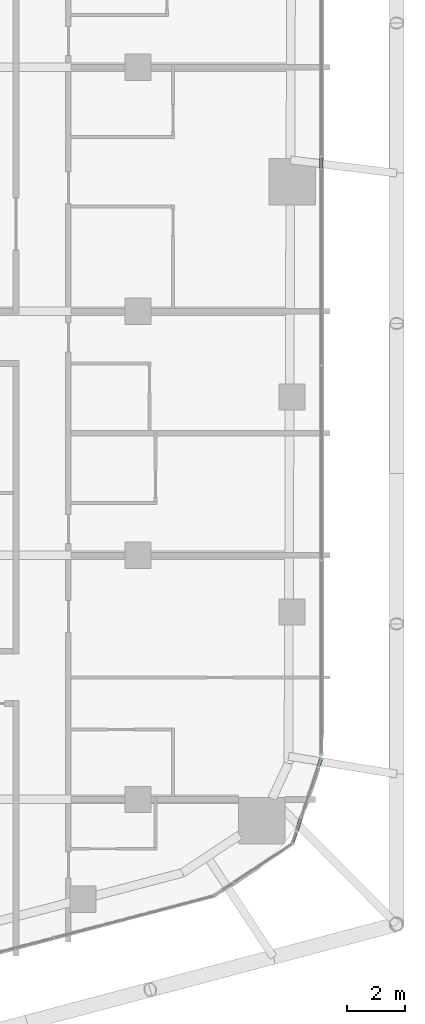
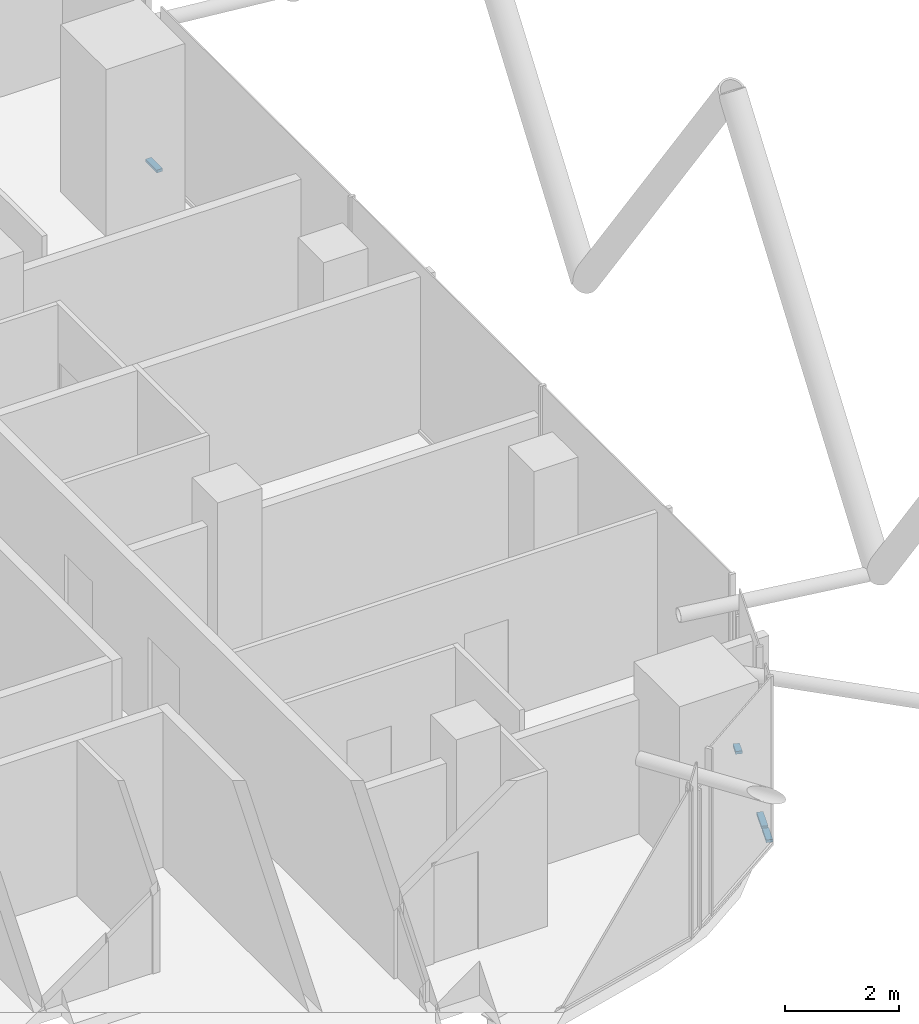
# One storey, part 16 of 36: 4 members, 4 elements without a shape of their own.
"""IFC4 building model written with IfcOpenShell, lengths in metres."""

from ifc_helpers import new_model, si_unit, direction, frame, origin, origin_2d, place, context, subcontext, project, spatial, rectangle, extrude, material, layer, layer_set, material_profile, profile_set, type_object, element, aggregate, save


model = new_model("IFC4")

# Units and contexts
model_context = context("Model", 3, precision=1e-05, world=origin(), true_north=direction((0.0, 1.0)))
body_context = subcontext(model_context, "Body", "Model", "MODEL_VIEW")
ifc_project = project(units=[si_unit("LENGTHUNIT", "METRE"), si_unit("AREAUNIT", "SQUARE_METRE"), si_unit("VOLUMEUNIT", "CUBIC_METRE"), si_unit("PLANEANGLEUNIT", "RADIAN"), si_unit("MASSUNIT", "GRAM", prefix="KILO")], contexts=[model_context])

# Site, building, storey
site_placement = place(None, origin())
site = spatial("IfcSite", under=ifc_project, at=site_placement, CompositionType="ELEMENT")
building_placement = place(site_placement, origin())
building = spatial("IfcBuilding", under=site, at=building_placement, Name="Marenta Gate Hotel Tower", CompositionType="ELEMENT")
storey_placement = place(building_placement, frame((0.0, 0.0, 130.10009765625)))
storey = spatial("IfcBuildingStorey", under=building, at=storey_placement, Name="L29", CompositionType="ELEMENT", Elevation=130.10009765625)

# Curtain wall, member
ifc_material_1 = material(Name="Tinted insulated glass in bronze anodised frame", Category="glass")
ifc_layer = layer(ifc_material_1, 0.1201171875)
ifc_layer_set = layer_set([ifc_layer], Name="Tinted insulated glass in bronze anodised frame")
curtain_wall_type = type_object("IfcCurtainWallType", Name="Tower unitised curtain wall CW1", PredefinedType="NOTDEFINED", material=ifc_layer_set)
curtain_wall_1_placement = place(storey_placement, origin())
curtain_wall_1 = element("IfcCurtainWall", 1, at=curtain_wall_1_placement, inside=storey, type_object=curtain_wall_type, Name="CW1 run G29", PredefinedType="NOTDEFINED")
ifc_material_2 = material(Name="Bronze anodised aluminium", Category="aluminium")
ifc_material_profile = material_profile(ifc_material_2, rectangle(XDim=0.1201171875, YDim=0.06005859375, at=origin_2d()), Name="Transom CW1 60x120 bronze anodised aluminium")
ifc_profile_set = profile_set([ifc_material_profile], Name="Bronze anodised aluminium")
member_type = type_object("IfcMemberType", Name="Transom CW1 60x120 bronze anodised aluminium", PredefinedType="USERDEFINED", material=ifc_profile_set)
member_1_placement = place(storey_placement, frame((26.32421875, -18.27783203125, 0.02978515625), z_axis=(0.322187955567, 0.946675721294, 0.0), x_axis=(-0.946675721294, 0.322187955567, 0.0)))
member_1 = element("IfcMember", 2, at=member_1_placement, type_object=member_type, Name="CW1 transom 1.1", ObjectType="TRANSOM", PredefinedType="USERDEFINED", context=body_context, shape_type="SweptSolid", body=[
    extrude(rectangle(XDim=0.1201171875, YDim=0.06005859375, at=origin_2d()), origin(), (0.0, 0.0, 1.0), 0.3681640625),
])
aggregate(curtain_wall_1, [member_1])

curtain_wall_2_placement = place(storey_placement, origin())
curtain_wall_2 = element("IfcCurtainWall", 3, at=curtain_wall_2_placement, inside=storey, type_object=curtain_wall_type, Name="CW1 run G30", PredefinedType="NOTDEFINED")
member_2_placement = place(storey_placement, frame((26.462158203125, -17.872314453125, 0.02978515625), z_axis=(0.321804616278, 0.946806098915, 0.0), x_axis=(-0.946806098915, 0.321804616278, 0.0)))
member_2 = element("IfcMember", 4, at=member_2_placement, type_object=member_type, Name="CW1 transom 1.1", ObjectType="TRANSOM", PredefinedType="USERDEFINED", context=body_context, shape_type="SweptSolid", body=[
    extrude(rectangle(XDim=0.1201171875, YDim=0.06005859375, at=origin_2d()), origin(), (0.0, 0.0, 1.0), 0.446044921875),
])
aggregate(curtain_wall_2, [member_2])

curtain_wall_3_placement = place(storey_placement, origin())
curtain_wall_3 = element("IfcCurtainWall", 5, at=curtain_wall_3_placement, inside=storey, type_object=curtain_wall_type, Name="CW1 run G32", PredefinedType="NOTDEFINED")
member_3_placement = place(storey_placement, frame((27.21533203125, -15.65771484375, 0.02978515625), z_axis=(0.322471894832, 0.946579038984, 0.0), x_axis=(-0.946579038984, 0.322471894832, 0.0)))
member_3 = element("IfcMember", 6, at=member_3_placement, type_object=member_type, Name="CW1 transom 1.1", ObjectType="TRANSOM", PredefinedType="USERDEFINED", context=body_context, shape_type="SweptSolid", body=[
    extrude(rectangle(XDim=0.1201171875, YDim=0.06005859375, at=origin_2d()), origin(), (0.0, 0.0, 1.0), 0.24609375),
])
aggregate(curtain_wall_3, [member_3])

curtain_wall_4_placement = place(storey_placement, origin())
curtain_wall_4 = element("IfcCurtainWall", 7, at=curtain_wall_4_placement, inside=storey, type_object=curtain_wall_type, Name="CW1 run G34", PredefinedType="NOTDEFINED")
member_4_placement = place(storey_placement, frame((27.31396484375, 4.906982421875, 0.02978515625), z_axis=(0.0, 1.0, 0.0), x_axis=(-1.0, 0.0, 0.0)))
member_4 = element("IfcMember", 8, at=member_4_placement, type_object=member_type, Name="CW1 transom 1.1", ObjectType="TRANSOM", PredefinedType="USERDEFINED", context=body_context, shape_type="SweptSolid", body=[
    extrude(rectangle(XDim=0.1201171875, YDim=0.06005859375, at=origin_2d()), origin(), (0.0, 0.0, 1.0), 0.396728515625),
])
aggregate(curtain_wall_4, [member_4])

save(model, "model.ifc")
